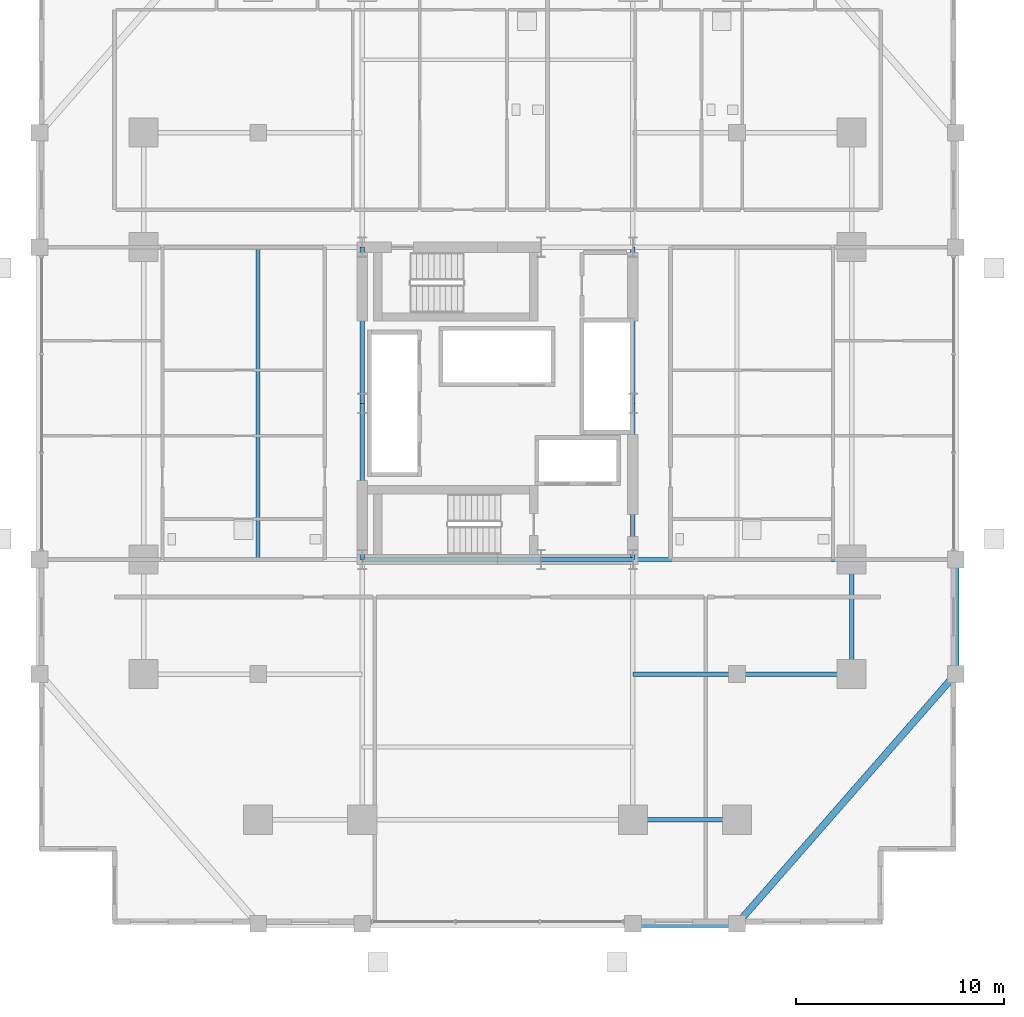
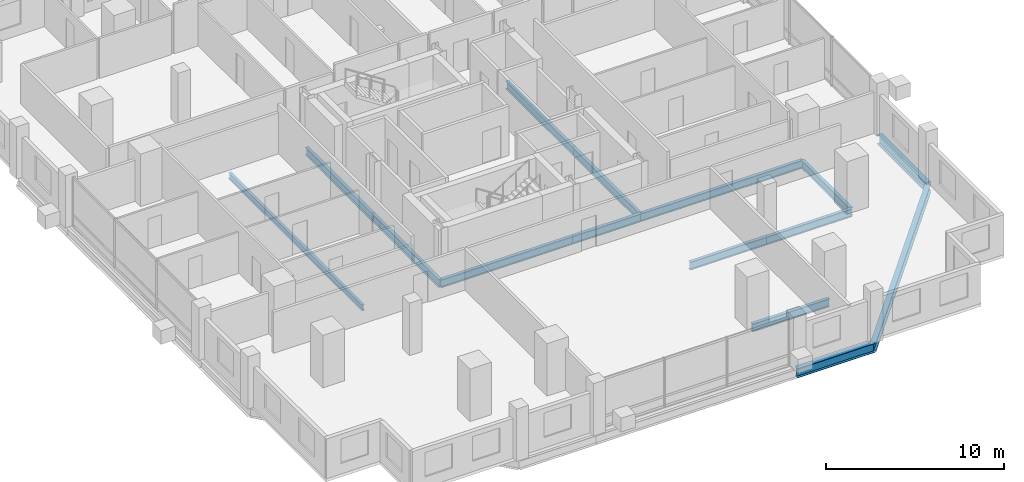
# One storey, part 7 of 23: 15 beams.
"""IFC4 building model written with IfcOpenShell, lengths in metres."""

from ifc_helpers import new_model, si_unit, direction, frame, origin, origin_2d, place, context, subcontext, project, spatial, i_section, extrude, material, material_profile, profile_set, type_object, element, save


model = new_model("IFC4")

# Units and contexts
model_context = context("Model", 3, precision=1e-05, world=origin(), true_north=direction((0.0, 1.0)))
body_context = subcontext(model_context, "Body", "Model", "MODEL_VIEW")
ifc_project = project(units=[si_unit("LENGTHUNIT", "METRE"), si_unit("AREAUNIT", "SQUARE_METRE"), si_unit("VOLUMEUNIT", "CUBIC_METRE"), si_unit("PLANEANGLEUNIT", "RADIAN"), si_unit("MASSUNIT", "GRAM", prefix="KILO")], contexts=[model_context])

# Site, building, storey
site_placement = place(None, origin())
site = spatial("IfcSite", under=ifc_project, at=site_placement, CompositionType="ELEMENT")
building_placement = place(site_placement, origin())
building = spatial("IfcBuilding", under=site, at=building_placement, Name="Barlavira Tower and Art Museum", CompositionType="ELEMENT")
storey_placement = place(building_placement, frame((0.0, 0.0, 64.800048828125)))
storey = spatial("IfcBuildingStorey", under=building, at=storey_placement, Name="L15", CompositionType="ELEMENT", Elevation=64.800048828125)

# Beams
ifc_material = material(Name="Steel S355", Category="steel")
ifc_material_profile_1 = material_profile(ifc_material, i_section(OverallWidth=0.327880859375, OverallDepth=0.62890625, WebThickness=0.013916015625, FlangeThickness=0.021484375, at=origin_2d()), Name="W610x174.0")
ifc_profile_set_1 = profile_set([ifc_material_profile_1], Name="Steel S355")
beam_type_1 = type_object("IfcBeamType", Name="Perimeter Spandrel Edge Beam W610x174 Steel S355", PredefinedType="SPANDREL", material=ifc_profile_set_1)
beam_1_placement = place(storey_placement, frame((6.5, -25.0, -0.53466796875), z_axis=(1.0, 0.0, 0.0), x_axis=(0.0, 1.0, 0.0)))
element("IfcBeam", 1, at=beam_1_placement, inside=storey, type_object=beam_type_1, Name="L15 Spandrel 3", PredefinedType="SPANDREL", context=body_context, shape_type="SweptSolid", body=[
    extrude(i_section(OverallWidth=0.327880859375, OverallDepth=0.62890625, WebThickness=0.013916015625, FlangeThickness=0.021484375, at=origin_2d()), origin(), (0.0, 0.0, 1.0), 5.0),
])
beam_2_placement = place(storey_placement, frame((11.5, -25.0, -0.53466796875), z_axis=(0.658504607869, 0.752576694707, 0.0), x_axis=(-0.752576694707, 0.658504607869, 0.0)))
element("IfcBeam", 2, at=beam_2_placement, inside=storey, type_object=beam_type_1, Name="L15 Spandrel 4", PredefinedType="SPANDREL", context=body_context, shape_type="SweptSolid", body=[
    extrude(i_section(OverallWidth=0.327880859375, OverallDepth=0.62890625, WebThickness=0.013916015625, FlangeThickness=0.021484375, at=origin_2d()), origin(), (0.0, 0.0, 1.0), 15.9453125),
])
beam_3_placement = place(storey_placement, frame((22.0, -13.0, -0.53466796875), z_axis=(0.0, 1.0, 0.0), x_axis=(-1.0, 0.0, 0.0)))
element("IfcBeam", 3, at=beam_3_placement, inside=storey, type_object=beam_type_1, Name="L15 Spandrel 5", PredefinedType="SPANDREL", context=body_context, shape_type="SweptSolid", body=[
    extrude(i_section(OverallWidth=0.327880859375, OverallDepth=0.62890625, WebThickness=0.013916015625, FlangeThickness=0.021484375, at=origin_2d()), origin(), (0.0, 0.0, 1.0), 5.5),
])
ifc_material_profile_2 = material_profile(ifc_material, i_section(OverallWidth=0.180908203125, OverallDepth=0.4169921875, WebThickness=0.010986328125, FlangeThickness=0.018310546875, at=origin_2d()), Name="W410x85.0")
ifc_profile_set_2 = profile_set([ifc_material_profile_2], Name="Steel S355")
beam_type_2 = type_object("IfcBeamType", Name="Zone 1 Composite Floor Joist W410x85 Steel S355", PredefinedType="JOIST", material=ifc_profile_set_2)
beam_4_placement = place(storey_placement, frame((-11.5, -7.5, -0.428466796875), z_axis=(0.0, 1.0, 0.0), x_axis=(-1.0, 0.0, 0.0)))
element("IfcBeam", 4, at=beam_4_placement, inside=storey, type_object=beam_type_2, Name="L15 Joist W1", PredefinedType="JOIST", context=body_context, shape_type="SweptSolid", body=[
    extrude(i_section(OverallWidth=0.180908203125, OverallDepth=0.4169921875, WebThickness=0.010986328125, FlangeThickness=0.018310546875, at=origin_2d()), origin(), (0.0, 0.0, 1.0), 15.0),
])
ifc_material_profile_3 = material_profile(ifc_material, i_section(OverallWidth=0.214111328125, OverallDepth=0.549072265625, WebThickness=0.0146484375, FlangeThickness=0.023681640625, at=origin_2d()), Name="W530x138.0")
ifc_profile_set_3 = profile_set([ifc_material_profile_3], Name="Steel S355")
beam_type_3 = type_object("IfcBeamType", Name="Zone 1 Primary Floor Girder W530x138 Steel S355", PredefinedType="BEAM", material=ifc_profile_set_3)
beam_5_placement = place(storey_placement, frame((-6.5, -7.5, -0.49462890625), z_axis=(1.0, 0.0, 0.0), x_axis=(0.0, 1.0, 0.0)))
element("IfcBeam", 5, at=beam_5_placement, inside=storey, type_object=beam_type_3, Name="L15 Girder C-S1", PredefinedType="BEAM", context=body_context, shape_type="SweptSolid", body=[
    extrude(i_section(OverallWidth=0.214111328125, OverallDepth=0.549072265625, WebThickness=0.0146484375, FlangeThickness=0.023681640625, at=origin_2d()), origin(), (0.0, 0.0, 1.0), 8.580078125),
])
beam_6_placement = place(storey_placement, frame((2.080078125, -7.5, -0.49462890625), z_axis=(1.0, 0.0, 0.0), x_axis=(0.0, 1.0, 0.0)))
element("IfcBeam", 6, at=beam_6_placement, inside=storey, type_object=beam_type_3, Name="L15 Girder C-S2", PredefinedType="BEAM", context=body_context, shape_type="SweptSolid", body=[
    extrude(i_section(OverallWidth=0.214111328125, OverallDepth=0.549072265625, WebThickness=0.0146484375, FlangeThickness=0.023681640625, at=origin_2d()), origin(), (0.0, 0.0, 1.0), 4.419921875),
])
for number, where, z_axis, x_axis, name in (
    (7, (-6.5, -7.5, -0.49462890625), (0.0, 1.0, 0.0), (-1.0, 0.0, 0.0), "L15 Girder C-W1"),
    (8, (-6.5, 0.0, -0.49462890625), (0.0, 1.0, 0.0), (-1.0, 0.0, 0.0), "L15 Girder C-W2"),
    (9, (6.5, -7.5, -0.49462890625), (0.0, 1.0, 0.0), (-1.0, 0.0, 0.0), "L15 Girder C-E1"),
    (10, (6.5, 0.0, -0.49462890625), (0.0, 1.0, 0.0), (-1.0, 0.0, 0.0), "L15 Girder C-E2"),
):
    element("IfcBeam", number, at=place(storey_placement, frame(where, z_axis=z_axis, x_axis=x_axis)), inside=storey, type_object=beam_type_3, Name=name, PredefinedType="BEAM", context=body_context, shape_type="SweptSolid", body=[
        extrude(i_section(OverallWidth=0.214111328125, OverallDepth=0.549072265625, WebThickness=0.0146484375, FlangeThickness=0.023681640625, at=origin_2d()), origin(), (0.0, 0.0, 1.0), 7.5),
    ])
beam_7_placement = place(storey_placement, frame((6.5, -20.0, -0.49462890625), z_axis=(1.0, 0.0, 0.0), x_axis=(0.0, 1.0, 0.0)))
element("IfcBeam", 11, at=beam_7_placement, inside=storey, type_object=beam_type_3, Name="L15 Girder M-S3", PredefinedType="BEAM", context=body_context, shape_type="SweptSolid", body=[
    extrude(i_section(OverallWidth=0.214111328125, OverallDepth=0.549072265625, WebThickness=0.0146484375, FlangeThickness=0.023681640625, at=origin_2d()), origin(), (0.0, 0.0, 1.0), 5.0),
])
beam_8_placement = place(storey_placement, frame((17.0, -13.0, -0.49462890625), z_axis=(0.0, 1.0, 0.0), x_axis=(-1.0, 0.0, 0.0)))
element("IfcBeam", 12, at=beam_8_placement, inside=storey, type_object=beam_type_3, Name="L15 Girder M-E1", PredefinedType="BEAM", context=body_context, shape_type="SweptSolid", body=[
    extrude(i_section(OverallWidth=0.214111328125, OverallDepth=0.549072265625, WebThickness=0.0146484375, FlangeThickness=0.023681640625, at=origin_2d()), origin(), (0.0, 0.0, 1.0), 5.5),
])
beam_9_placement = place(storey_placement, frame((6.5, -7.5, -0.49462890625), z_axis=(1.0, 0.0, 0.0), x_axis=(0.0, 1.0, 0.0)))
element("IfcBeam", 13, at=beam_9_placement, inside=storey, type_object=beam_type_3, Name="L15 Girder R-E1", PredefinedType="BEAM", context=body_context, shape_type="SweptSolid", body=[
    extrude(i_section(OverallWidth=0.214111328125, OverallDepth=0.549072265625, WebThickness=0.0146484375, FlangeThickness=0.023681640625, at=origin_2d()), origin(), (0.0, 0.0, 1.0), 10.5),
])
beam_10_placement = place(storey_placement, frame((6.5, -13.0, -0.49462890625), z_axis=(1.0, 0.0, 0.0), x_axis=(0.0, 1.0, 0.0)))
element("IfcBeam", 14, at=beam_10_placement, inside=storey, type_object=beam_type_3, Name="L15 Girder I-S3", PredefinedType="BEAM", context=body_context, shape_type="SweptSolid", body=[
    extrude(i_section(OverallWidth=0.214111328125, OverallDepth=0.549072265625, WebThickness=0.0146484375, FlangeThickness=0.023681640625, at=origin_2d()), origin(), (0.0, 0.0, 1.0), 5.0),
])
beam_11_placement = place(storey_placement, frame((11.5, -13.0, -0.49462890625), z_axis=(1.0, 0.0, 0.0), x_axis=(0.0, 1.0, 0.0)))
element("IfcBeam", 15, at=beam_11_placement, inside=storey, type_object=beam_type_3, Name="L15 Girder I-S4", PredefinedType="BEAM", context=body_context, shape_type="SweptSolid", body=[
    extrude(i_section(OverallWidth=0.214111328125, OverallDepth=0.549072265625, WebThickness=0.0146484375, FlangeThickness=0.023681640625, at=origin_2d()), origin(), (0.0, 0.0, 1.0), 5.5),
])

save(model, "model.ifc")
